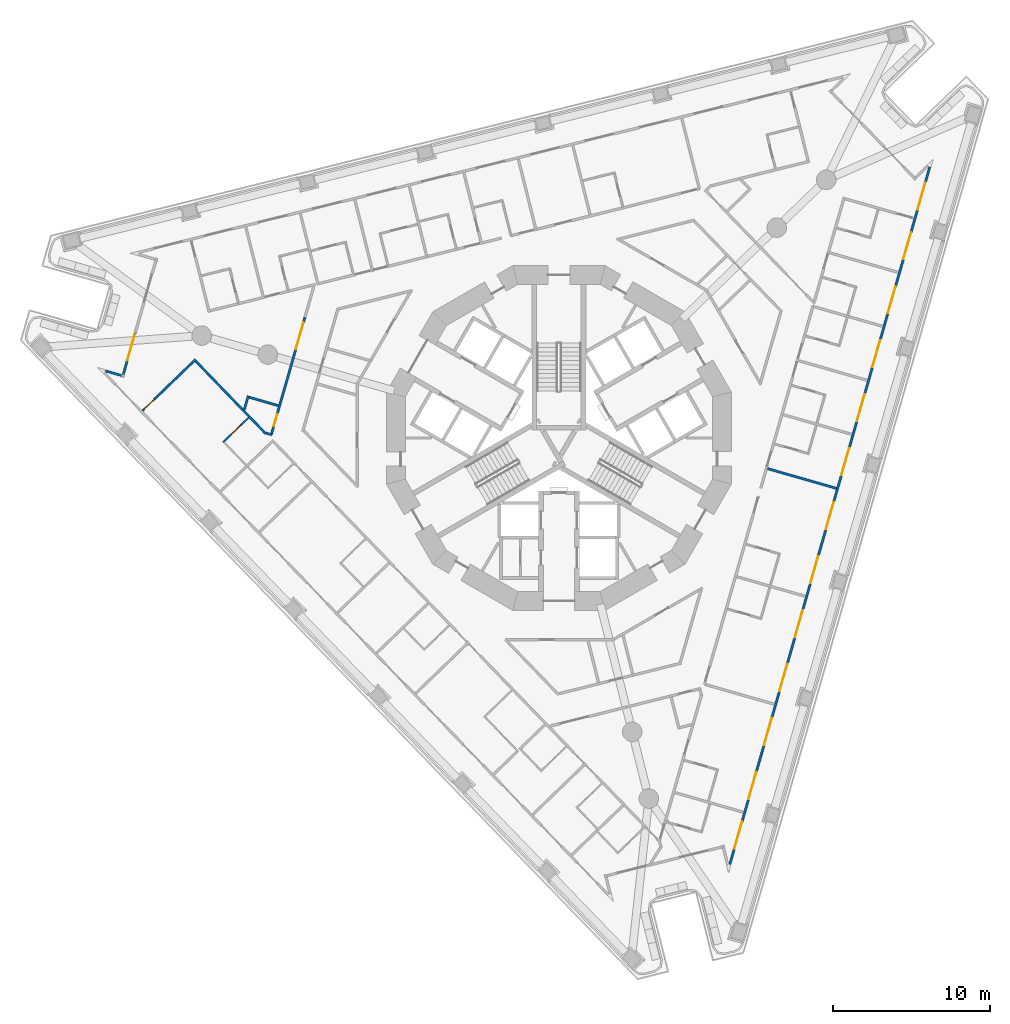
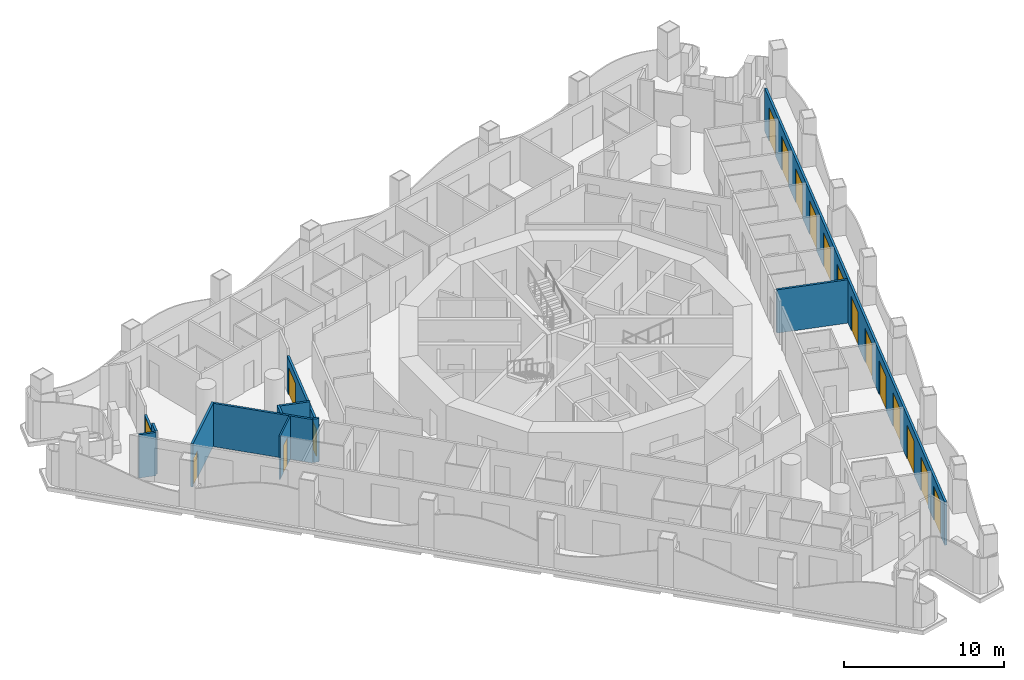
# One storey, part 6 of 20: 18 doors, 12 walls, 18 openings.
"""IFC4 building model written with IfcOpenShell, lengths in metres."""

from ifc_helpers import new_model, si_unit, direction, frame, frame_2d, origin, place, context, subcontext, project, spatial, polyline, rectangle, outline, extrude, material, layer, layer_set, type_object, element, fill, save


model = new_model("IFC4")

# Units and contexts
model_context = context("Model", 3, precision=1e-05, world=origin(), true_north=direction((0.0, 1.0)))
body_context = subcontext(model_context, "Body", "Model", "MODEL_VIEW")
ifc_project = project(units=[si_unit("LENGTHUNIT", "METRE"), si_unit("AREAUNIT", "SQUARE_METRE"), si_unit("VOLUMEUNIT", "CUBIC_METRE"), si_unit("PLANEANGLEUNIT", "RADIAN"), si_unit("MASSUNIT", "GRAM", prefix="KILO")], contexts=[model_context])

# Site, building, storey
site_placement = place(None, origin())
site = spatial("IfcSite", under=ifc_project, at=site_placement, CompositionType="ELEMENT")
building_placement = place(site_placement, origin())
building = spatial("IfcBuilding", under=site, at=building_placement, Name="Trine Commons Tower", CompositionType="ELEMENT")
storey_placement = place(building_placement, frame((0.0, 0.0, 108.89990234375)))
storey = spatial("IfcBuildingStorey", under=building, at=storey_placement, Name="L27", CompositionType="ELEMENT", Elevation=108.89990234375)

# Walls
ifc_material_1 = material(Name="Aluminium-framed insulated wall panel", Category="aluminium")
ifc_layer_1 = layer(ifc_material_1, 0.14990234375)
ifc_layer_set_1 = layer_set([ifc_layer_1], Name="Aluminium-framed insulated wall panel")
wall_type_1 = type_object("IfcWallType", Name="Glazed frame wall 150, EI 60", PredefinedType="SOLIDWALL", material=ifc_layer_set_1)
wall_1_placement = place(storey_placement, frame((50.88232421875, 66.82861328125, 0.0), z_axis=(0.0, 0.0, 1.0), x_axis=(0.961290718071, -0.275536123495, 0.0)))
element("IfcWall", 1, at=wall_1_placement, inside=storey, type_object=wall_type_1, Name="Glazed frame wall R1", PredefinedType="SOLIDWALL", context=body_context, shape_type="SweptSolid", body=[
    extrude(outline(polyline([(0.1494140625, 0.074951171875), (0.1494140625, -0.074951171875), (1.235107421875, -0.074951171875), (1.235107421875, 0.074951171875), (0.1494140625, 0.074951171875)])), origin(), (0.0, 0.0, 1.0), 3.300048828125),
])
wall_2_placement = place(storey_placement, frame((52.1318359375, 66.433837890625, 0.0), z_axis=(0.0, 0.0, 1.0), x_axis=(0.27588175927, 0.961191580749, 0.0)))
element("IfcWall", 2, at=wall_2_placement, inside=storey, type_object=wall_type_1, Name="Glazed frame wall P1.1", PredefinedType="SOLIDWALL", context=body_context, shape_type="SweptSolid", body=[
    extrude(outline(polyline([(0.110107421875, -0.074951171875), (1.0, -0.074951171875), (1.0, 0.074951171875), (0.110107421875, 0.074951171875), (0.110107421875, -0.074951171875)])), origin(), (0.0, 0.0, 1.0), 3.300048828125),
])

# Wall, opening, door
wall_3_placement = place(storey_placement, frame((52.40771484375, 67.39501953125, 0.0), z_axis=(0.0, 0.0, 1.0), x_axis=(0.275620468433, 0.961266538157, 0.0)))
wall_3 = element("IfcWall", 3, at=wall_3_placement, inside=storey, type_object=wall_type_1, Name="Glazed frame wall P1.2", PredefinedType="SOLIDWALL", context=body_context, shape_type="SweptSolid", body=[
    extrude(outline(polyline([(0.0, -0.074951171875), (1.89990234375, -0.074951171875), (1.89990234375, 0.074951171875), (0.0, 0.074951171875), (0.0, -0.074951171875)])), origin(), (0.0, 0.0, 1.0), 2.650146484375),
])
opening_1_placement = place(wall_3_placement, frame((0.050048828125, 0.0, 0.0)))
opening_1 = element("IfcOpeningElement", 4, at=opening_1_placement, cuts=wall_3, Name="Opening BD-3P1-01", PredefinedType="OPENING", context=body_context, shape_type="SweptSolid", body=[
    extrude(rectangle(XDim=1.800048828125, YDim=2.60009765625, at=frame_2d((0.89990234375, 1.300048828125))), frame((0.0, 0.0849609375, 0.0), z_axis=(0.0, -1.0, 0.0), x_axis=(1.0, 0.0, 0.0)), (0.0, 0.0, 1.0), 0.169921875),
])
ifc_material_2 = material(Name="Anodised aluminium frame with double glazing", Category="aluminium")
door_type_1 = type_object("IfcDoorType", Name="Sliding loggia door 1800x2600", OperationType="SLIDING_TO_LEFT", PredefinedType="DOOR", material=ifc_material_2)
door_1_placement = place(opening_1_placement, origin())
door_1 = element("IfcDoor", 5, at=door_1_placement, inside=storey, type_object=door_type_1, Name="Loggia door P1 1", OperationType="SLIDING_TO_LEFT", OverallHeight=2.60009765625, OverallWidth=1.800048828125, PredefinedType="DOOR", context=body_context, shape_type="SweptSolid", body=[
    extrude(rectangle(XDim=1.800048828125, YDim=2.60009765625, at=frame_2d((0.89990234375, 1.300048828125))), frame((0.0, 0.02490234375, 0.0), z_axis=(0.0, -1.0, 0.0), x_axis=(1.0, 0.0, 0.0)), (0.0, 0.0, 1.0), 0.050048828125),
])
fill(opening_1, door_1)

# Wall, openings, doors
wall_4_placement = place(storey_placement, frame((103.735107421875, 79.95703125, 0.0), z_axis=(0.0, 0.0, 1.0), x_axis=(-0.275637625225, -0.961261618687, 0.0)))
wall_4 = element("IfcWall", 6, at=wall_4_placement, inside=storey, type_object=wall_type_1, Name="Glazed frame wall F2", PredefinedType="SOLIDWALL", context=body_context, shape_type="SweptSolid", body=[
    extrude(outline(polyline([(0.1494140625, 0.074951171875), (0.1494140625, -0.074951171875), (46.496826171875, -0.074951171875), (46.496826171875, 0.074951171875), (0.1494140625, 0.074951171875)])), origin(), (0.0, 0.0, 1.0), 3.300048828125),
])
opening_2_placement = place(wall_4_placement, frame((1.194091796875, 0.0, 0.0)))
opening_2 = element("IfcOpeningElement", 7, at=opening_2_placement, cuts=wall_4, Name="Opening BD-3F2-01", PredefinedType="OPENING", context=body_context, shape_type="SweptSolid", body=[
    extrude(rectangle(XDim=1.800048828125, YDim=2.60009765625, at=frame_2d((0.89990234375, 1.300048828125))), frame((0.0, 0.0849609375, 0.0), z_axis=(0.0, -1.0, 0.0), x_axis=(1.0, 0.0, 0.0)), (0.0, 0.0, 1.0), 0.169921875),
])
opening_3_placement = place(wall_4_placement, frame((4.482421875, 0.0, 0.0)))
opening_3 = element("IfcOpeningElement", 8, at=opening_3_placement, cuts=wall_4, Name="Opening BD-3F2-02", PredefinedType="OPENING", context=body_context, shape_type="SweptSolid", body=[
    extrude(rectangle(XDim=1.800048828125, YDim=2.60009765625, at=frame_2d((0.89990234375, 1.300048828125))), frame((0.0, 0.0849609375, 0.0), z_axis=(0.0, -1.0, 0.0), x_axis=(1.0, 0.0, 0.0)), (0.0, 0.0, 1.0), 0.169921875),
])
opening_4_placement = place(wall_4_placement, frame((8.070556640625, 0.0, 0.0)))
opening_4 = element("IfcOpeningElement", 9, at=opening_4_placement, cuts=wall_4, Name="Opening BD-3F2-03", PredefinedType="OPENING", context=body_context, shape_type="SweptSolid", body=[
    extrude(rectangle(XDim=1.800048828125, YDim=2.60009765625, at=frame_2d((0.89990234375, 1.300048828125))), frame((0.0, 0.0849609375, 0.0), z_axis=(0.0, -1.0, 0.0), x_axis=(1.0, 0.0, 0.0)), (0.0, 0.0, 1.0), 0.169921875),
])
opening_5_placement = place(wall_4_placement, frame((11.65869140625, 0.0, 0.0)))
opening_5 = element("IfcOpeningElement", 10, at=opening_5_placement, cuts=wall_4, Name="Opening BD-3F2-04", PredefinedType="OPENING", context=body_context, shape_type="SweptSolid", body=[
    extrude(rectangle(XDim=1.800048828125, YDim=2.60009765625, at=frame_2d((0.89990234375, 1.300048828125))), frame((0.0, 0.0849609375, 0.0), z_axis=(0.0, -1.0, 0.0), x_axis=(1.0, 0.0, 0.0)), (0.0, 0.0, 1.0), 0.169921875),
])
opening_6_placement = place(wall_4_placement, frame((15.246826171875, 0.0, 0.0)))
opening_6 = element("IfcOpeningElement", 11, at=opening_6_placement, cuts=wall_4, Name="Opening BD-3F2-05", PredefinedType="OPENING", context=body_context, shape_type="SweptSolid", body=[
    extrude(rectangle(XDim=1.800048828125, YDim=2.60009765625, at=frame_2d((0.89990234375, 1.300048828125))), frame((0.0, 0.0849609375, 0.0), z_axis=(0.0, -1.0, 0.0), x_axis=(1.0, 0.0, 0.0)), (0.0, 0.0, 1.0), 0.169921875),
])
opening_7_placement = place(wall_4_placement, frame((18.835205078125, 0.0, 0.0)))
opening_7 = element("IfcOpeningElement", 12, at=opening_7_placement, cuts=wall_4, Name="Opening BD-3F2-06", PredefinedType="OPENING", context=body_context, shape_type="SweptSolid", body=[
    extrude(rectangle(XDim=1.800048828125, YDim=2.60009765625, at=frame_2d((0.89990234375, 1.300048828125))), frame((0.0, 0.0849609375, 0.0), z_axis=(0.0, -1.0, 0.0), x_axis=(1.0, 0.0, 0.0)), (0.0, 0.0, 1.0), 0.169921875),
])
opening_8_placement = place(wall_4_placement, frame((22.42333984375, 0.0, 0.0)))
opening_8 = element("IfcOpeningElement", 13, at=opening_8_placement, cuts=wall_4, Name="Opening BD-3F2-07", PredefinedType="OPENING", context=body_context, shape_type="SweptSolid", body=[
    extrude(rectangle(XDim=1.800048828125, YDim=2.60009765625, at=frame_2d((0.89990234375, 1.300048828125))), frame((0.0, 0.0849609375, 0.0), z_axis=(0.0, -1.0, 0.0), x_axis=(1.0, 0.0, 0.0)), (0.0, 0.0, 1.0), 0.169921875),
])
opening_9_placement = place(wall_4_placement, frame((26.011474609375, 0.0, 0.0)))
opening_9 = element("IfcOpeningElement", 14, at=opening_9_placement, cuts=wall_4, Name="Opening BD-3F2-08", PredefinedType="OPENING", context=body_context, shape_type="SweptSolid", body=[
    extrude(rectangle(XDim=1.800048828125, YDim=2.60009765625, at=frame_2d((0.89990234375, 1.300048828125))), frame((0.0, 0.0849609375, 0.0), z_axis=(0.0, -1.0, 0.0), x_axis=(1.0, 0.0, 0.0)), (0.0, 0.0, 1.0), 0.169921875),
])
opening_10_placement = place(wall_4_placement, frame((29.599609375, 0.0, 0.0)))
opening_10 = element("IfcOpeningElement", 15, at=opening_10_placement, cuts=wall_4, Name="Opening BD-3F2-09", PredefinedType="OPENING", context=body_context, shape_type="SweptSolid", body=[
    extrude(rectangle(XDim=1.800048828125, YDim=2.60009765625, at=frame_2d((0.89990234375, 1.300048828125))), frame((0.0, 0.0849609375, 0.0), z_axis=(0.0, -1.0, 0.0), x_axis=(1.0, 0.0, 0.0)), (0.0, 0.0, 1.0), 0.169921875),
])
opening_11_placement = place(wall_4_placement, frame((33.18798828125, 0.0, 0.0)))
opening_11 = element("IfcOpeningElement", 16, at=opening_11_placement, cuts=wall_4, Name="Opening BD-3F2-10", PredefinedType="OPENING", context=body_context, shape_type="SweptSolid", body=[
    extrude(rectangle(XDim=1.800048828125, YDim=2.60009765625, at=frame_2d((0.89990234375, 1.300048828125))), frame((0.0, 0.0849609375, 0.0), z_axis=(0.0, -1.0, 0.0), x_axis=(1.0, 0.0, 0.0)), (0.0, 0.0, 1.0), 0.169921875),
])
opening_12_placement = place(wall_4_placement, frame((36.776123046875, 0.0, 0.0)))
opening_12 = element("IfcOpeningElement", 17, at=opening_12_placement, cuts=wall_4, Name="Opening BD-3F2-11", PredefinedType="OPENING", context=body_context, shape_type="SweptSolid", body=[
    extrude(rectangle(XDim=1.800048828125, YDim=2.60009765625, at=frame_2d((0.89990234375, 1.300048828125))), frame((0.0, 0.0849609375, 0.0), z_axis=(0.0, -1.0, 0.0), x_axis=(1.0, 0.0, 0.0)), (0.0, 0.0, 1.0), 0.169921875),
])
opening_13_placement = place(wall_4_placement, frame((40.3642578125, 0.0, 0.0)))
opening_13 = element("IfcOpeningElement", 18, at=opening_13_placement, cuts=wall_4, Name="Opening BD-3F2-12", PredefinedType="OPENING", context=body_context, shape_type="SweptSolid", body=[
    extrude(rectangle(XDim=1.800048828125, YDim=2.60009765625, at=frame_2d((0.89990234375, 1.300048828125))), frame((0.0, 0.0849609375, 0.0), z_axis=(0.0, -1.0, 0.0), x_axis=(1.0, 0.0, 0.0)), (0.0, 0.0, 1.0), 0.169921875),
])
opening_14_placement = place(wall_4_placement, frame((43.652587890625, 0.0, 0.0)))
opening_14 = element("IfcOpeningElement", 19, at=opening_14_placement, cuts=wall_4, Name="Opening BD-3F2-13", PredefinedType="OPENING", context=body_context, shape_type="SweptSolid", body=[
    extrude(rectangle(XDim=1.800048828125, YDim=2.60009765625, at=frame_2d((0.89990234375, 1.300048828125))), frame((0.0, 0.0849609375, 0.0), z_axis=(0.0, -1.0, 0.0), x_axis=(1.0, 0.0, 0.0)), (0.0, 0.0, 1.0), 0.169921875),
])
door_2_placement = place(opening_2_placement, origin())
door_2 = element("IfcDoor", 20, at=door_2_placement, inside=storey, type_object=door_type_1, Name="Loggia door F2 1", OperationType="SLIDING_TO_LEFT", OverallHeight=2.60009765625, OverallWidth=1.800048828125, PredefinedType="DOOR", context=body_context, shape_type="SweptSolid", body=[
    extrude(rectangle(XDim=1.800048828125, YDim=2.60009765625, at=frame_2d((0.89990234375, 1.300048828125))), frame((0.0, 0.02490234375, 0.0), z_axis=(0.0, -1.0, 0.0), x_axis=(1.0, 0.0, 0.0)), (0.0, 0.0, 1.0), 0.050048828125),
])
fill(opening_2, door_2)
door_3_placement = place(opening_3_placement, origin())
door_3 = element("IfcDoor", 21, at=door_3_placement, inside=storey, type_object=door_type_1, Name="Loggia door F2 2", OperationType="SLIDING_TO_LEFT", OverallHeight=2.60009765625, OverallWidth=1.800048828125, PredefinedType="DOOR", context=body_context, shape_type="SweptSolid", body=[
    extrude(rectangle(XDim=1.800048828125, YDim=2.60009765625, at=frame_2d((0.89990234375, 1.300048828125))), frame((0.0, 0.02490234375, 0.0), z_axis=(0.0, -1.0, 0.0), x_axis=(1.0, 0.0, 0.0)), (0.0, 0.0, 1.0), 0.050048828125),
])
fill(opening_3, door_3)
door_4_placement = place(opening_4_placement, origin())
door_4 = element("IfcDoor", 22, at=door_4_placement, inside=storey, type_object=door_type_1, Name="Loggia door F2 3", OperationType="SLIDING_TO_LEFT", OverallHeight=2.60009765625, OverallWidth=1.800048828125, PredefinedType="DOOR", context=body_context, shape_type="SweptSolid", body=[
    extrude(rectangle(XDim=1.800048828125, YDim=2.60009765625, at=frame_2d((0.89990234375, 1.300048828125))), frame((0.0, 0.02490234375, 0.0), z_axis=(0.0, -1.0, 0.0), x_axis=(1.0, 0.0, 0.0)), (0.0, 0.0, 1.0), 0.050048828125),
])
fill(opening_4, door_4)
door_5_placement = place(opening_5_placement, origin())
door_5 = element("IfcDoor", 23, at=door_5_placement, inside=storey, type_object=door_type_1, Name="Loggia door F2 4", OperationType="SLIDING_TO_LEFT", OverallHeight=2.60009765625, OverallWidth=1.800048828125, PredefinedType="DOOR", context=body_context, shape_type="SweptSolid", body=[
    extrude(rectangle(XDim=1.800048828125, YDim=2.60009765625, at=frame_2d((0.89990234375, 1.300048828125))), frame((0.0, 0.02490234375, 0.0), z_axis=(0.0, -1.0, 0.0), x_axis=(1.0, 0.0, 0.0)), (0.0, 0.0, 1.0), 0.050048828125),
])
fill(opening_5, door_5)
door_6_placement = place(opening_6_placement, origin())
door_6 = element("IfcDoor", 24, at=door_6_placement, inside=storey, type_object=door_type_1, Name="Loggia door F2 5", OperationType="SLIDING_TO_LEFT", OverallHeight=2.60009765625, OverallWidth=1.800048828125, PredefinedType="DOOR", context=body_context, shape_type="SweptSolid", body=[
    extrude(rectangle(XDim=1.800048828125, YDim=2.60009765625, at=frame_2d((0.89990234375, 1.300048828125))), frame((0.0, 0.02490234375, 0.0), z_axis=(0.0, -1.0, 0.0), x_axis=(1.0, 0.0, 0.0)), (0.0, 0.0, 1.0), 0.050048828125),
])
fill(opening_6, door_6)
door_7_placement = place(opening_7_placement, origin())
door_7 = element("IfcDoor", 25, at=door_7_placement, inside=storey, type_object=door_type_1, Name="Loggia door F2 6", OperationType="SLIDING_TO_LEFT", OverallHeight=2.60009765625, OverallWidth=1.800048828125, PredefinedType="DOOR", context=body_context, shape_type="SweptSolid", body=[
    extrude(rectangle(XDim=1.800048828125, YDim=2.60009765625, at=frame_2d((0.89990234375, 1.300048828125))), frame((0.0, 0.02490234375, 0.0), z_axis=(0.0, -1.0, 0.0), x_axis=(1.0, 0.0, 0.0)), (0.0, 0.0, 1.0), 0.050048828125),
])
fill(opening_7, door_7)
door_8_placement = place(opening_8_placement, origin())
door_8 = element("IfcDoor", 26, at=door_8_placement, inside=storey, type_object=door_type_1, Name="Loggia door F2 7", OperationType="SLIDING_TO_LEFT", OverallHeight=2.60009765625, OverallWidth=1.800048828125, PredefinedType="DOOR", context=body_context, shape_type="SweptSolid", body=[
    extrude(rectangle(XDim=1.800048828125, YDim=2.60009765625, at=frame_2d((0.89990234375, 1.300048828125))), frame((0.0, 0.02490234375, 0.0), z_axis=(0.0, -1.0, 0.0), x_axis=(1.0, 0.0, 0.0)), (0.0, 0.0, 1.0), 0.050048828125),
])
fill(opening_8, door_8)
door_9_placement = place(opening_9_placement, origin())
door_9 = element("IfcDoor", 27, at=door_9_placement, inside=storey, type_object=door_type_1, Name="Loggia door F2 8", OperationType="SLIDING_TO_LEFT", OverallHeight=2.60009765625, OverallWidth=1.800048828125, PredefinedType="DOOR", context=body_context, shape_type="SweptSolid", body=[
    extrude(rectangle(XDim=1.800048828125, YDim=2.60009765625, at=frame_2d((0.89990234375, 1.300048828125))), frame((0.0, 0.02490234375, 0.0), z_axis=(0.0, -1.0, 0.0), x_axis=(1.0, 0.0, 0.0)), (0.0, 0.0, 1.0), 0.050048828125),
])
fill(opening_9, door_9)
door_10_placement = place(opening_10_placement, origin())
door_10 = element("IfcDoor", 28, at=door_10_placement, inside=storey, type_object=door_type_1, Name="Loggia door F2 9", OperationType="SLIDING_TO_LEFT", OverallHeight=2.60009765625, OverallWidth=1.800048828125, PredefinedType="DOOR", context=body_context, shape_type="SweptSolid", body=[
    extrude(rectangle(XDim=1.800048828125, YDim=2.60009765625, at=frame_2d((0.89990234375, 1.300048828125))), frame((0.0, 0.02490234375, 0.0), z_axis=(0.0, -1.0, 0.0), x_axis=(1.0, 0.0, 0.0)), (0.0, 0.0, 1.0), 0.050048828125),
])
fill(opening_10, door_10)
door_11_placement = place(opening_11_placement, origin())
door_11 = element("IfcDoor", 29, at=door_11_placement, inside=storey, type_object=door_type_1, Name="Loggia door F2 10", OperationType="SLIDING_TO_LEFT", OverallHeight=2.60009765625, OverallWidth=1.800048828125, PredefinedType="DOOR", context=body_context, shape_type="SweptSolid", body=[
    extrude(rectangle(XDim=1.800048828125, YDim=2.60009765625, at=frame_2d((0.89990234375, 1.300048828125))), frame((0.0, 0.02490234375, 0.0), z_axis=(0.0, -1.0, 0.0), x_axis=(1.0, 0.0, 0.0)), (0.0, 0.0, 1.0), 0.050048828125),
])
fill(opening_11, door_11)
door_12_placement = place(opening_12_placement, origin())
door_12 = element("IfcDoor", 30, at=door_12_placement, inside=storey, type_object=door_type_1, Name="Loggia door F2 11", OperationType="SLIDING_TO_LEFT", OverallHeight=2.60009765625, OverallWidth=1.800048828125, PredefinedType="DOOR", context=body_context, shape_type="SweptSolid", body=[
    extrude(rectangle(XDim=1.800048828125, YDim=2.60009765625, at=frame_2d((0.89990234375, 1.300048828125))), frame((0.0, 0.02490234375, 0.0), z_axis=(0.0, -1.0, 0.0), x_axis=(1.0, 0.0, 0.0)), (0.0, 0.0, 1.0), 0.050048828125),
])
fill(opening_12, door_12)
door_13_placement = place(opening_13_placement, origin())
door_13 = element("IfcDoor", 31, at=door_13_placement, inside=storey, type_object=door_type_1, Name="Loggia door F2 12", OperationType="SLIDING_TO_LEFT", OverallHeight=2.60009765625, OverallWidth=1.800048828125, PredefinedType="DOOR", context=body_context, shape_type="SweptSolid", body=[
    extrude(rectangle(XDim=1.800048828125, YDim=2.60009765625, at=frame_2d((0.89990234375, 1.300048828125))), frame((0.0, 0.02490234375, 0.0), z_axis=(0.0, -1.0, 0.0), x_axis=(1.0, 0.0, 0.0)), (0.0, 0.0, 1.0), 0.050048828125),
])
fill(opening_13, door_13)
door_14_placement = place(opening_14_placement, origin())
door_14 = element("IfcDoor", 32, at=door_14_placement, inside=storey, type_object=door_type_1, Name="Loggia door F2 13", OperationType="SLIDING_TO_LEFT", OverallHeight=2.60009765625, OverallWidth=1.800048828125, PredefinedType="DOOR", context=body_context, shape_type="SweptSolid", body=[
    extrude(rectangle(XDim=1.800048828125, YDim=2.60009765625, at=frame_2d((0.89990234375, 1.300048828125))), frame((0.0, 0.02490234375, 0.0), z_axis=(0.0, -1.0, 0.0), x_axis=(1.0, 0.0, 0.0)), (0.0, 0.0, 1.0), 0.050048828125),
])
fill(opening_14, door_14)

# Wall, opening, door
ifc_material_3 = material(Name="Gypsum plasterboard on steel stud", Category="steel")
ifc_layer_2 = layer(ifc_material_3, 0.14990234375)
ifc_layer_set_2 = layer_set([ifc_layer_2], Name="Gypsum plasterboard on steel stud")
wall_type_2 = type_object("IfcWallType", Name="Unit and corridor wall 150 mm, EI 60", PredefinedType="PARTITIONING", material=ifc_layer_set_2)
wall_5_placement = place(storey_placement, frame((53.393798828125, 64.24169921875, 0.0), z_axis=(0.0, 0.0, 1.0), x_axis=(0.719250925674, 0.694750391088, 0.0)))
wall_5 = element("IfcWall", 33, at=wall_5_placement, inside=storey, type_object=wall_type_2, Name="Partition 001", PredefinedType="PARTITIONING", context=body_context, shape_type="SweptSolid", body=[
    extrude(rectangle(XDim=4.723388671875, YDim=0.14990234375, at=frame_2d((2.36181640625, 0.0))), origin(), (0.0, 0.0, 1.0), 3.300048828125),
])
opening_15_placement = place(wall_5_placement, frame((0.14990234375, 0.0, 0.0)))
opening_15 = element("IfcOpeningElement", 34, at=opening_15_placement, cuts=wall_5, Name="Opening D-3C33", PredefinedType="OPENING", context=body_context, shape_type="SweptSolid", body=[
    extrude(rectangle(XDim=0.89990234375, YDim=2.10009765625, at=frame_2d((0.449951171875, 1.050048828125))), frame((0.0, 0.0849609375, 0.0), z_axis=(0.0, -1.0, 0.0), x_axis=(1.0, 0.0, 0.0)), (0.0, 0.0, 1.0), 0.169921875),
])
ifc_material_4 = material(Name="Timber fire door set", Category="wood")
door_type_2 = type_object("IfcDoorType", Name="Bedroom door 900 x 2100, FD30S", OperationType="NOTDEFINED", PredefinedType="DOOR", material=ifc_material_4)
door_15_placement = place(opening_15_placement, frame((0.89990234375, 0.0, 0.0), z_axis=(0.0, 0.0, 1.0), x_axis=(-1.0, 0.0, 0.0)))
door_15 = element("IfcDoor", 35, at=door_15_placement, inside=storey, type_object=door_type_2, Name="Door D-3C33", OperationType="SINGLE_SWING_RIGHT", OverallHeight=2.10009765625, OverallWidth=0.89990234375, PredefinedType="DOOR", context=body_context, shape_type="SweptSolid", body=[
    extrude(rectangle(XDim=0.89990234375, YDim=2.10009765625, at=frame_2d((0.449951171875, 1.050048828125))), frame((0.0, 0.02490234375, 0.0), z_axis=(0.0, -1.0, 0.0), x_axis=(1.0, 0.0, 0.0)), (0.0, 0.0, 1.0), 0.050048828125),
])
fill(opening_15, door_15)

# Walls
wall_6_placement = place(storey_placement, frame((56.7890625, 67.4169921875, 0.0), z_axis=(0.0, 0.0, 1.0), x_axis=(0.694658112977, -0.719340048986, 0.0)))
element("IfcWall", 36, at=wall_6_placement, inside=storey, type_object=wall_type_2, Name="Partition 003", PredefinedType="PARTITIONING", context=body_context, shape_type="SweptSolid", body=[
    extrude(rectangle(XDim=6.439453125, YDim=0.14990234375, at=frame_2d((3.2197265625, 0.0))), origin(), (0.0, 0.0, 1.0), 3.300048828125),
])
wall_7_placement = place(storey_placement, frame((59.8935546875, 64.295166015625, 0.0), z_axis=(0.0, 0.0, 1.0), x_axis=(0.275099226296, 0.96141583911, 0.0)))
element("IfcWall", 37, at=wall_7_placement, inside=storey, type_object=wall_type_2, Name="Partition 011", PredefinedType="PARTITIONING", context=body_context, shape_type="SweptSolid", body=[
    extrude(rectangle(XDim=0.93798828125, YDim=0.14990234375, at=frame_2d((0.468994140625, 0.0))), origin(), (0.0, 0.0, 1.0), 3.300048828125),
])
wall_8_placement = place(storey_placement, frame((60.203125, 65.104248046875, 0.0), z_axis=(0.0, 0.0, 1.0), x_axis=(0.961258970078, -0.275646861845, 0.0)))
element("IfcWall", 38, at=wall_8_placement, inside=storey, type_object=wall_type_2, Name="Partition 013", PredefinedType="PARTITIONING", context=body_context, shape_type="SweptSolid", body=[
    extrude(rectangle(XDim=1.9501953125, YDim=0.14990234375, at=frame_2d((0.97509765625, 0.0))), origin(), (0.0, 0.0, 1.0), 3.300048828125),
])
wall_9_placement = place(storey_placement, frame((61.261962890625, 62.823974609375, 0.0), z_axis=(0.0, 0.0, 1.0), x_axis=(0.960829843292, -0.2771389764, 0.0)))
element("IfcWall", 39, at=wall_9_placement, inside=storey, type_object=wall_type_2, Name="Partition 015", PredefinedType="PARTITIONING", context=body_context, shape_type="SweptSolid", body=[
    extrude(rectangle(XDim=0.39990234375, YDim=0.14990234375, at=frame_2d((0.199951171875, 0.0))), origin(), (0.0, 0.0, 1.0), 3.300048828125),
])

# Wall, openings, doors
wall_10_placement = place(storey_placement, frame((61.625, 62.715087890625, 0.0), z_axis=(0.0, 0.0, 1.0), x_axis=(0.275614307244, 0.961268304711, 0.0)))
wall_10 = element("IfcWall", 40, at=wall_10_placement, inside=storey, type_object=wall_type_2, Name="Partition 017", PredefinedType="PARTITIONING", context=body_context, shape_type="SweptSolid", body=[
    extrude(rectangle(XDim=7.796875, YDim=0.14990234375, at=frame_2d((3.8984375, 0.0))), origin(), (0.0, 0.0, 1.0), 2.75),
])
opening_16_placement = place(wall_10_placement, frame((5.67919921875, 0.0, 0.0)))
opening_16 = element("IfcOpeningElement", 41, at=opening_16_placement, cuts=wall_10, Name="Opening D-3C03", PredefinedType="OPENING", context=body_context, shape_type="SweptSolid", body=[
    extrude(rectangle(XDim=1.800048828125, YDim=2.10009765625, at=frame_2d((0.89990234375, 1.050048828125))), frame((0.0, 0.0849609375, 0.0), z_axis=(0.0, -1.0, 0.0), x_axis=(1.0, 0.0, 0.0)), (0.0, 0.0, 1.0), 0.169921875),
])
opening_17_placement = place(wall_10_placement, frame((0.554443359375, 0.0, 0.0)))
opening_17 = element("IfcOpeningElement", 42, at=opening_17_placement, cuts=wall_10, Name="Opening D-3C06", PredefinedType="OPENING", context=body_context, shape_type="SweptSolid", body=[
    extrude(rectangle(XDim=0.800048828125, YDim=2.10009765625, at=frame_2d((0.39990234375, 1.050048828125))), frame((0.0, 0.0849609375, 0.0), z_axis=(0.0, -1.0, 0.0), x_axis=(1.0, 0.0, 0.0)), (0.0, 0.0, 1.0), 0.169921875),
])
door_type_3 = type_object("IfcDoorType", Name="Cluster entrance door 1800 x 2100, double leaf, FD30S", OperationType="DOUBLE_DOOR_DOUBLE_SWING", PredefinedType="DOOR", material=ifc_material_4)
door_16_placement = place(opening_16_placement, origin())
door_16 = element("IfcDoor", 43, at=door_16_placement, inside=storey, type_object=door_type_3, Name="Door D-3C03", OperationType="DOUBLE_DOOR_DOUBLE_SWING", OverallHeight=2.10009765625, OverallWidth=1.800048828125, PredefinedType="DOOR", context=body_context, shape_type="SweptSolid", body=[
    extrude(rectangle(XDim=1.800048828125, YDim=2.10009765625, at=frame_2d((0.89990234375, 1.050048828125))), frame((0.0, 0.02490234375, 0.0), z_axis=(0.0, -1.0, 0.0), x_axis=(1.0, 0.0, 0.0)), (0.0, 0.0, 1.0), 0.050048828125),
])
fill(opening_16, door_16)
ifc_material_5 = material(Name="Painted timber", Category="wood")
door_type_4 = type_object("IfcDoorType", Name="Toilet door 800 x 2100, NOT RATED", OperationType="NOTDEFINED", PredefinedType="DOOR", material=ifc_material_5)
door_17_placement = place(opening_17_placement, origin())
door_17 = element("IfcDoor", 44, at=door_17_placement, inside=storey, type_object=door_type_4, Name="Door D-3C06", OperationType="SINGLE_SWING_LEFT", OverallHeight=2.10009765625, OverallWidth=0.800048828125, PredefinedType="DOOR", context=body_context, shape_type="SweptSolid", body=[
    extrude(rectangle(XDim=0.800048828125, YDim=2.10009765625, at=frame_2d((0.39990234375, 1.050048828125))), frame((0.0, 0.02490234375, 0.0), z_axis=(0.0, -1.0, 0.0), x_axis=(1.0, 0.0, 0.0)), (0.0, 0.0, 1.0), 0.050048828125),
])
fill(opening_17, door_17)

# Wall
wall_11_placement = place(storey_placement, frame((93.3330078125, 60.543212890625, 0.0), z_axis=(0.0, 0.0, 1.0), x_axis=(0.961269673231, -0.275609534171, 0.0)))
element("IfcWall", 45, at=wall_11_placement, inside=storey, type_object=wall_type_2, Name="Partition 131", PredefinedType="PARTITIONING", context=body_context, shape_type="SweptSolid", body=[
    extrude(rectangle(XDim=4.572509765625, YDim=0.14990234375, at=frame_2d((2.2861328125, 0.0))), origin(), (0.0, 0.0, 1.0), 3.300048828125),
])

# Wall, opening, door
ifc_layer_3 = layer(ifc_material_3, 0.10009765625)
ifc_layer_set_3 = layer_set([ifc_layer_3], Name="Gypsum plasterboard on steel stud")
wall_type_3 = type_object("IfcWallType", Name="Unit partition 100 mm, no rating", PredefinedType="PARTITIONING", material=ifc_layer_set_3)
wall_12_placement = place(storey_placement, frame((58.5380859375, 62.222412109375, 0.0), z_axis=(0.0, 0.0, 1.0), x_axis=(0.719390368222, 0.694606002068, 0.0)))
wall_12 = element("IfcWall", 46, at=wall_12_placement, inside=storey, type_object=wall_type_3, Name="Partition 007", PredefinedType="PARTITIONING", context=body_context, shape_type="SweptSolid", body=[
    extrude(rectangle(XDim=2.275390625, YDim=0.10009765625, at=frame_2d((1.1376953125, 0.0))), origin(), (0.0, 0.0, 1.0), 3.300048828125),
])
opening_18_placement = place(wall_12_placement, frame((0.7626953125, 0.0, 0.0)))
opening_18 = element("IfcOpeningElement", 47, at=opening_18_placement, cuts=wall_12, Name="Opening D-3C67", PredefinedType="OPENING", context=body_context, shape_type="SweptSolid", body=[
    extrude(rectangle(XDim=0.800048828125, YDim=2.10009765625, at=frame_2d((0.39990234375, 1.050048828125))), frame((0.0, 0.06005859375, 0.0), z_axis=(0.0, -1.0, 0.0), x_axis=(1.0, 0.0, 0.0)), (0.0, 0.0, 1.0), 0.1201171875),
])
door_type_5 = type_object("IfcDoorType", Name="Internal door 800 x 2100, NOT RATED", OperationType="NOTDEFINED", PredefinedType="DOOR", material=ifc_material_5)
door_18_placement = place(opening_18_placement, origin())
door_18 = element("IfcDoor", 48, at=door_18_placement, inside=storey, type_object=door_type_5, Name="Door D-3C67", OperationType="SINGLE_SWING_RIGHT", OverallHeight=2.10009765625, OverallWidth=0.800048828125, PredefinedType="DOOR", context=body_context, shape_type="SweptSolid", body=[
    extrude(rectangle(XDim=0.800048828125, YDim=2.10009765625, at=frame_2d((0.39990234375, 1.050048828125))), frame((0.0, 0.02490234375, 0.0), z_axis=(0.0, -1.0, 0.0), x_axis=(1.0, 0.0, 0.0)), (0.0, 0.0, 1.0), 0.050048828125),
])
fill(opening_18, door_18)

save(model, "model.ifc")
